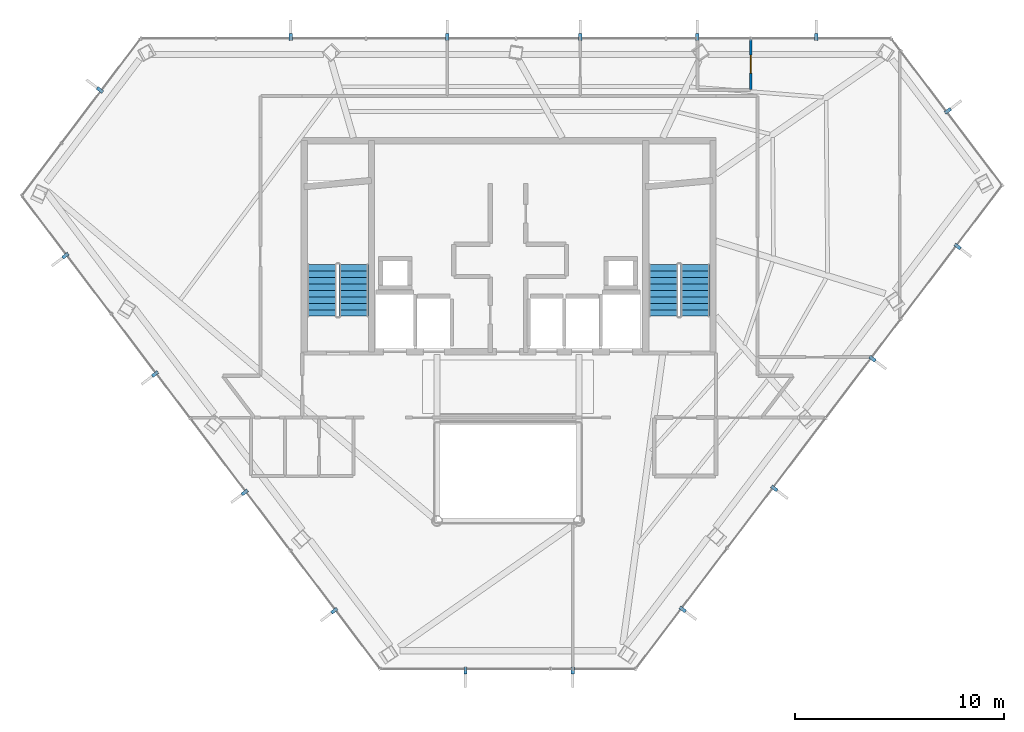
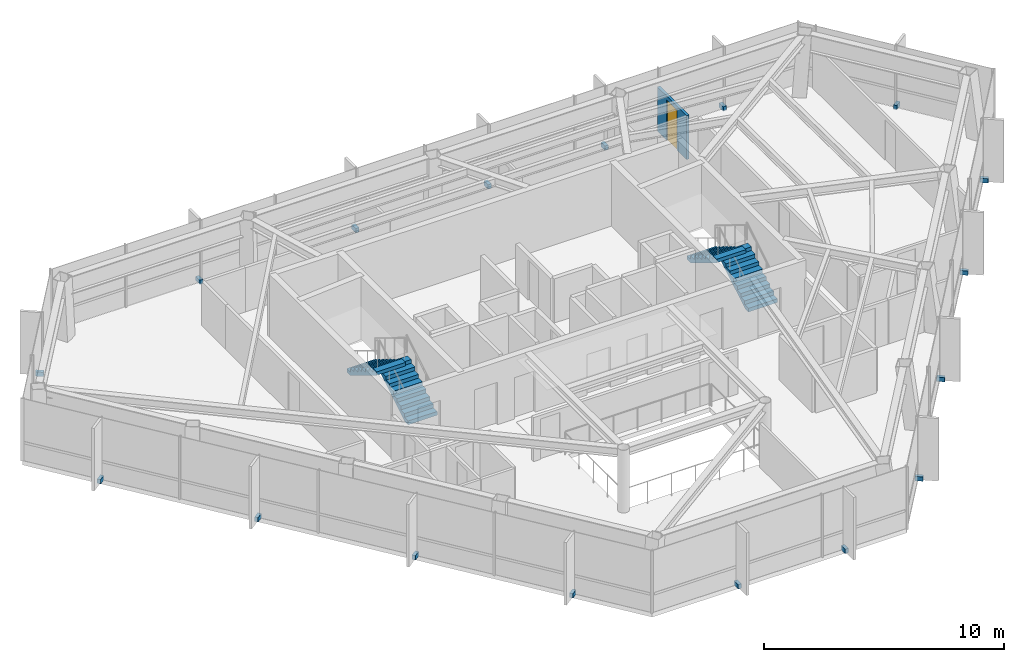
# One storey, part 26 of 27: 17 discrete accessories, 4 stair flights, 1 door, 1 wall, 1 opening, 2 elements without a shape of their own.
"""IFC4 building model written with IfcOpenShell, lengths in metres."""

import ifcopenshell
import ifcopenshell.guid

model = None  # the IFC model being written
_history = None  # IfcOwnerHistory: only IFC2X3 demands one
_inside = {}  # id of a spatial element -> (the spatial element, [elements in it])
_under = {}  # id of a project, library or spatial element -> (it, [spatial elements below it])
_declared = {}  # id of a project -> (the project, [libraries it declares])
_typed = {}  # id of a type object -> (the type object, [elements of that type])
_made_of = {}  # id of a material, layer set ... -> (it, [elements and type objects made of it])


def new_model(schema):
    """Start an empty IFC model of exactly this schema.

    Asked for "IFC4X3", IfcOpenShell would pick the latest addendum, in which some entities
    have other attributes; the version numbers below select the first issue.
    IFC2X3 requires an IfcOwnerHistory on every rooted entity: one is made here for all.
    """
    global model, _history
    if schema == "IFC4X3":
        model = ifcopenshell.file(schema_version=(4, 3, 0, 0))
    else:
        model = ifcopenshell.file(schema=schema)
    _inside.clear()
    _under.clear()
    _declared.clear()
    _typed.clear()
    _made_of.clear()
    _history = None
    if model.schema == "IFC2X3":
        org = make("IfcOrganization", Name="unknown")
        user = make(
            "IfcPersonAndOrganization",
            ThePerson=make("IfcPerson", FamilyName="unknown"),
            TheOrganization=org,
        )
        app = make(
            "IfcApplication",
            ApplicationDeveloper=org,
            Version="unknown",
            ApplicationFullName="unknown",
            ApplicationIdentifier="unknown",
        )
        _history = make(
            "IfcOwnerHistory",
            OwningUser=user,
            OwningApplication=app,
            ChangeAction="ADDED",
            CreationDate=0,
        )
    return model


def make(cls, **values):
    """One entity of the class cls with the attributes given. An attribute that is None is left unset."""
    return model.create_entity(
        cls, **{name: value for name, value in values.items() if value is not None}
    )


def rooted(cls, **values):
    """An entity with a GlobalId (a new one), such as an element, a storey or a relation."""
    return make(cls, GlobalId=ifcopenshell.guid.new(), OwnerHistory=_history, **values)


def si_unit(unit_type, name, prefix=None):
    """IfcSIUnit, for example si_unit("LENGTHUNIT", "METRE", prefix="MILLI")."""
    return make("IfcSIUnit", UnitType=unit_type, Prefix=prefix, Name=name)


def assignment(units):
    """IfcUnitAssignment: the units of a project."""
    return None if units is None else make("IfcUnitAssignment", Units=units)


def point(xyz):
    """IfcCartesianPoint."""
    return None if xyz is None else make("IfcCartesianPoint", Coordinates=xyz)


def direction(xyz):
    """IfcDirection."""
    return None if xyz is None else make("IfcDirection", DirectionRatios=xyz)


def frame(location, z_axis=None, x_axis=None):
    """IfcAxis2Placement3D, a coordinate frame: its origin and axes. An axis left out is left unset."""
    return make(
        "IfcAxis2Placement3D",
        Location=point(location),
        Axis=direction(z_axis),
        RefDirection=direction(x_axis),
    )


def frame_2d(location, x_axis=None):
    """IfcAxis2Placement2D, a coordinate frame in the plane: its origin and x axis."""
    return make(
        "IfcAxis2Placement2D", Location=point(location), RefDirection=direction(x_axis)
    )


def origin():
    """The frame at (0, 0, 0) with its axes left unset."""
    return frame((0.0, 0.0, 0.0))


def origin_2d():
    """The frame at (0, 0) in the plane with its x axis left unset."""
    return frame_2d((0.0, 0.0))


def place(relative_to, where):
    """IfcLocalPlacement: puts the frame where relative to a parent placement (None: the world)."""
    return make(
        "IfcLocalPlacement", PlacementRelTo=relative_to, RelativePlacement=where
    )


def context(
    kind, dimensions, precision=None, world=None, true_north=None, identifier=None
):
    """IfcGeometricRepresentationContext, for example the 3D "Model" context."""
    return make(
        "IfcGeometricRepresentationContext",
        ContextIdentifier=identifier,
        ContextType=kind,
        CoordinateSpaceDimension=dimensions,
        Precision=precision,
        WorldCoordinateSystem=world,
        TrueNorth=true_north,
    )


def subcontext(parent, identifier, kind, view, scale=None):
    """IfcGeometricRepresentationSubContext, for example "Body" below "Model"."""
    return make(
        "IfcGeometricRepresentationSubContext",
        ContextIdentifier=identifier,
        ContextType=kind,
        ParentContext=parent,
        TargetScale=scale,
        TargetView=view,
    )


def project(units=None, contexts=None):
    """IfcProject with its units and contexts."""
    return rooted(
        "IfcProject",
        Name="project",
        RepresentationContexts=contexts,
        UnitsInContext=assignment(units),
    )


def spatial(cls, under=None, at=None, **own):
    """A site, building, storey or space (cls), placed at a placement, below another one or the project."""
    s = rooted(cls, ObjectPlacement=at, **own)
    if under is not None:
        _under.setdefault(under.id(), (under, []))[1].append(s)
    return s


def polyline(points):
    """IfcPolyline through the points."""
    return make("IfcPolyline", Points=[point(p) for p in points])


def profile(cls, at=None, kind="AREA", **sizes):
    """A parametric profile (cls). Its sizes go by their IFC names, for example OverallWidth=200.0."""
    return make(cls, ProfileType=kind, Position=at, **sizes)


def rectangle(**sizes):
    """IfcRectangleProfileDef."""
    return profile("IfcRectangleProfileDef", **sizes)


def outline(outer, holes=None, kind="AREA"):
    """IfcArbitraryClosedProfileDef: a profile drawn as a closed curve; with holes, ...WithVoids."""
    if holes is None:
        return make("IfcArbitraryClosedProfileDef", ProfileType=kind, OuterCurve=outer)
    return make(
        "IfcArbitraryProfileDefWithVoids",
        ProfileType=kind,
        OuterCurve=outer,
        InnerCurves=holes,
    )


def extrude(swept, where, along, depth):
    """IfcExtrudedAreaSolid: the profile swept, set in the frame where, extruded along a direction by depth."""
    return make(
        "IfcExtrudedAreaSolid",
        SweptArea=swept,
        Position=where,
        ExtrudedDirection=direction(along),
        Depth=depth,
    )


def shape(context_of_items, identifier, shape_type, items):
    """IfcShapeRepresentation: the items that make up one representation, for example the "Body"."""
    return make(
        "IfcShapeRepresentation",
        ContextOfItems=context_of_items,
        RepresentationIdentifier=identifier,
        RepresentationType=shape_type,
        Items=items,
    )


def material(Name=None, Category=None):
    """IfcMaterial."""
    return make("IfcMaterial", Name=Name, Category=Category)


def layer(
    of_material, thickness, ventilated=None, Name=None, Category=None, Priority=None
):
    """IfcMaterialLayer: one layer of a wall or slab, of a material (None: an air gap)."""
    return make(
        "IfcMaterialLayer",
        Material=of_material,
        LayerThickness=thickness,
        IsVentilated=ventilated,
        Name=Name,
        Category=Category,
        Priority=Priority,
    )


def layer_set(layers, Name=None):
    """IfcMaterialLayerSet."""
    return make("IfcMaterialLayerSet", MaterialLayers=layers, LayerSetName=Name)


def made_of(thing, what):
    """Note that an element or type object is made of a material, layer set ...; save() writes the relation."""
    if what is not None:
        _made_of.setdefault(what.id(), (what, []))[1].append(thing)
    return thing


def type_object(cls, material=None, **own):
    """A type object (cls), such as IfcWallType, which elements share."""
    return made_of(rooted(cls, **own), material)


def element(
    cls,
    number,
    at=None,
    inside=None,
    cuts=None,
    type_object=None,
    material=None,
    context=None,
    identifier="Body",
    shape_type=None,
    held_by="IfcProductDefinitionShape",
    body=None,
    shapes=None,
    **own,
):
    """One element of the class cls, such as IfcWall. Its Tag is "e" and its number.

    at: its placement. inside: the storey or other place that contains it. cuts: it is an
    opening in that element (IfcRelVoidsElement). A single representation is given by context,
    identifier, shape_type and body (its items); several are given by shapes. held_by: the class
    of the entity that holds the representations. save() writes the other relations.
    """
    e = rooted(cls, Tag="e%d" % number, ObjectPlacement=at, **own)
    if body is not None:
        shapes = [shape(context, identifier, shape_type, body)]
    if shapes is not None:
        e.Representation = make(held_by, Representations=shapes)
    if inside is not None:
        _inside.setdefault(inside.id(), (inside, []))[1].append(e)
    if cuts is not None:
        rooted(
            "IfcRelVoidsElement", RelatingBuildingElement=cuts, RelatedOpeningElement=e
        )
    if type_object is not None:
        _typed.setdefault(type_object.id(), (type_object, []))[1].append(e)
    return made_of(e, material)


def fill(opening, filler):
    """IfcRelFillsElement: the door or window that sits in an opening."""
    return rooted(
        "IfcRelFillsElement",
        RelatingOpeningElement=opening,
        RelatedBuildingElement=filler,
    )


def aggregate(whole, parts):
    """IfcRelAggregates: a whole, such as a stair, and the parts it consists of."""
    return rooted("IfcRelAggregates", RelatingObject=whole, RelatedObjects=parts)


def save(model, path):
    """Write the relations noted so far, then the file.

    IfcRelAggregates (storeys below a building ...), IfcRelContainedInSpatialStructure (elements
    in a storey), IfcRelDefinesByType, IfcRelAssociatesMaterial and IfcRelDeclares: one each for
    every whole, place, type object, material and project.
    """
    for whole, parts in _under.values():
        aggregate(whole, parts)
    for where, things in _inside.values():
        rooted(
            "IfcRelContainedInSpatialStructure",
            RelatedElements=things,
            RelatingStructure=where,
        )
    for kind, things in _typed.values():
        rooted("IfcRelDefinesByType", RelatedObjects=things, RelatingType=kind)
    for what, things in _made_of.values():
        rooted("IfcRelAssociatesMaterial", RelatedObjects=things, RelatingMaterial=what)
    for by, libraries in _declared.values():
        rooted("IfcRelDeclares", RelatingContext=by, RelatedDefinitions=libraries)
    model.write(path)


model = new_model("IFC4")

# Units and contexts
model_context = context("Model", 3, precision=1e-05, world=origin(), true_north=direction((0.0, 1.0)))
body_context = subcontext(model_context, "Body", "Model", "MODEL_VIEW")
ifc_project = project(units=[si_unit("LENGTHUNIT", "METRE"), si_unit("AREAUNIT", "SQUARE_METRE"), si_unit("VOLUMEUNIT", "CUBIC_METRE"), si_unit("PLANEANGLEUNIT", "RADIAN"), si_unit("MASSUNIT", "GRAM", prefix="KILO")], contexts=[model_context])

# Site, building, storey
site_placement = place(None, origin())
site = spatial("IfcSite", under=ifc_project, at=site_placement, CompositionType="ELEMENT")
building_placement = place(site_placement, origin())
building = spatial("IfcBuilding", under=site, at=building_placement, Name="Zarrinselat Tower", CompositionType="ELEMENT")
storey_placement = place(building_placement, frame((0.0, 0.0, 225.760009765625)))
storey = spatial("IfcBuildingStorey", under=building, at=storey_placement, Name="L56", CompositionType="ELEMENT", Elevation=225.760009765625)

# Wall, opening, door
ifc_material_1 = material(Name="Fire-Rated Gypsum Board Partition", Category="gypsum")
ifc_layer = layer(ifc_material_1, 0.135009765625)
ifc_layer_set = layer_set([ifc_layer], Name="Fire-Rated Gypsum Board Partition")
wall_type = type_object("IfcWallType", Name="WAL-PART-WET", PredefinedType="PARTITIONING", material=ifc_layer_set)
wall_placement = place(storey_placement, frame((50.015380859375, 45.8544921875, 0.0), z_axis=(0.0, 0.0, 1.0), x_axis=(0.0, 1.0, 0.0)))
wall = element("IfcWall", 1, at=wall_placement, inside=storey, type_object=wall_type, Name="L56 Partition Wall 55", PredefinedType="PARTITIONING", context=body_context, shape_type="SweptSolid", body=[
    extrude(rectangle(XDim=2.4248046875, YDim=0.135009765625, at=frame_2d((1.21240234375, 0.0))), origin(), (0.0, 0.0, 1.0), 2.235107421875),
])
opening_placement = place(wall_placement, frame((0.782470703125, 0.0, 0.0)))
opening = element("IfcOpeningElement", 2, at=opening_placement, cuts=wall, Name="Opening ID-06", PredefinedType="OPENING", context=body_context, shape_type="SweptSolid", body=[
    extrude(rectangle(XDim=0.860107421875, YDim=2.050048828125, at=frame_2d((0.43017578125, 1.02490234375))), frame((0.0, 0.077392578125, 0.0), z_axis=(0.0, -1.0, 0.0), x_axis=(1.0, 0.0, 0.0)), (0.0, 0.0, 1.0), 0.155029296875),
])
ifc_material_2 = material(Name="Extruded Aluminium Alloy EN AW-6063 T6", Category="aluminium")
door_type = type_object("IfcDoorType", Name="DR-INT-WET-900", OperationType="NOTDEFINED", PredefinedType="DOOR", material=ifc_material_2)
door_placement = place(opening_placement, origin())
door = element("IfcDoor", 3, at=door_placement, inside=storey, type_object=door_type, Name="L56 Interior Door P55", OperationType="SINGLE_SWING_LEFT", OverallHeight=2.050048828125, OverallWidth=0.860107421875, PredefinedType="DOOR", context=body_context, shape_type="SweptSolid", body=[
    extrude(rectangle(XDim=0.860107421875, YDim=2.050048828125, at=frame_2d((0.43017578125, 1.02490234375))), frame((0.0, 0.02490234375, 0.0), z_axis=(0.0, -1.0, 0.0), x_axis=(1.0, 0.0, 0.0)), (0.0, 0.0, 1.0), 0.050048828125),
])
fill(opening, door)

# Stair, stair flights
ifc_material_3 = material(Name="Concrete C40/50", Category="concrete")
stair_type = type_object("IfcStairType", Name="STR-CORE-155", PredefinedType="HALF_TURN_STAIR", material=ifc_material_3)
stair_1_placement = place(storey_placement, origin())
stair_1 = element("IfcStair", 4, at=stair_1_placement, inside=storey, type_object=stair_type, Name="L56 Core Exit Stair 1", PredefinedType="HALF_TURN_STAIR")
ifc_material_4 = material(Name="Concrete C40/50", Category="concrete")
stair_flight_type = type_object("IfcStairFlightType", Name="STR-FLT-155", PredefinedType="STRAIGHT", material=ifc_material_4)
stair_flight_1_placement = place(storey_placement, frame((31.02001953125, 35.0, 0.0), z_axis=(0.0, 0.0, 1.0), x_axis=(0.0, 1.0, 0.0)))
stair_flight_1 = element("IfcStairFlight", 5, at=stair_flight_1_placement, type_object=stair_flight_type, Name="ST-1 flight 1", NumberOfRisers=9, NumberOfTreads=8, PredefinedType="STRAIGHT", RiserHeight=0.188888889, TreadLength=0.31, context=body_context, shape_type="SweptSolid", body=[
    extrude(outline(polyline([(0.0, 0.0), (0.0, 0.18896484375), (0.31005859375, 0.18896484375), (0.31005859375, 0.377685546875), (0.6201171875, 0.377685546875), (0.6201171875, 0.566650390625), (0.929931640625, 0.566650390625), (0.929931640625, 0.755615234375), (1.239990234375, 0.755615234375), (1.239990234375, 0.9443359375), (1.550048828125, 0.9443359375), (1.550048828125, 1.13330078125), (1.860107421875, 1.13330078125), (1.860107421875, 1.322265625), (2.169921875, 1.322265625), (2.169921875, 1.51123046875), (2.47998046875, 1.51123046875), (2.47998046875, 1.699951171875), (2.47998046875, 1.335693359375), (0.2880859375, 0.0), (0.0, 0.0)])), frame((0.0, 0.699951171875, 0.0), z_axis=(0.0, -1.0, 0.0), x_axis=(1.0, 0.0, 0.0)), (0.0, 0.0, 1.0), 1.39990234375),
])
stair_flight_2_placement = place(storey_placement, frame((29.5, 37.47998046875, 1.699951171875), z_axis=(0.0, 0.0, 1.0), x_axis=(0.0, -1.0, 0.0)))
stair_flight_2 = element("IfcStairFlight", 6, at=stair_flight_2_placement, type_object=stair_flight_type, Name="ST-1 flight 2", NumberOfRisers=9, NumberOfTreads=8, PredefinedType="STRAIGHT", RiserHeight=0.188888889, TreadLength=0.31, context=body_context, shape_type="SweptSolid", body=[
    extrude(outline(polyline([(0.0, 0.0), (0.0, 0.18896484375), (0.31005859375, 0.18896484375), (0.31005859375, 0.377685546875), (0.6201171875, 0.377685546875), (0.6201171875, 0.566650390625), (0.929931640625, 0.566650390625), (0.929931640625, 0.755615234375), (1.239990234375, 0.755615234375), (1.239990234375, 0.9443359375), (1.550048828125, 0.9443359375), (1.550048828125, 1.13330078125), (1.860107421875, 1.13330078125), (1.860107421875, 1.322265625), (2.169921875, 1.322265625), (2.169921875, 1.51123046875), (2.47998046875, 1.51123046875), (2.47998046875, 1.699951171875), (2.47998046875, 1.335693359375), (0.2880859375, 0.0), (0.0, 0.0)])), frame((0.0, 0.699951171875, 0.0), z_axis=(0.0, -1.0, 0.0), x_axis=(1.0, 0.0, 0.0)), (0.0, 0.0, 1.0), 1.39990234375),
])
aggregate(stair_1, [stair_flight_1, stair_flight_2])

stair_2_placement = place(storey_placement, origin())
stair_2 = element("IfcStair", 7, at=stair_2_placement, inside=storey, type_object=stair_type, Name="L56 Core Exit Stair 2", PredefinedType="HALF_TURN_STAIR")
stair_flight_3_placement = place(storey_placement, frame((47.360107421875, 35.0, 0.0), z_axis=(0.0, 0.0, 1.0), x_axis=(0.0, 1.0, 0.0)))
stair_flight_3 = element("IfcStairFlight", 8, at=stair_flight_3_placement, type_object=stair_flight_type, Name="ST-2 flight 1", NumberOfRisers=9, NumberOfTreads=8, PredefinedType="STRAIGHT", RiserHeight=0.188888889, TreadLength=0.31, context=body_context, shape_type="SweptSolid", body=[
    extrude(outline(polyline([(0.0, 0.0), (0.0, 0.18896484375), (0.31005859375, 0.18896484375), (0.31005859375, 0.377685546875), (0.6201171875, 0.377685546875), (0.6201171875, 0.566650390625), (0.929931640625, 0.566650390625), (0.929931640625, 0.755615234375), (1.239990234375, 0.755615234375), (1.239990234375, 0.9443359375), (1.550048828125, 0.9443359375), (1.550048828125, 1.13330078125), (1.860107421875, 1.13330078125), (1.860107421875, 1.322265625), (2.169921875, 1.322265625), (2.169921875, 1.51123046875), (2.47998046875, 1.51123046875), (2.47998046875, 1.699951171875), (2.47998046875, 1.335693359375), (0.2880859375, 0.0), (0.0, 0.0)])), frame((0.0, 0.699951171875, 0.0), z_axis=(0.0, -1.0, 0.0), x_axis=(1.0, 0.0, 0.0)), (0.0, 0.0, 1.0), 1.39990234375),
])
stair_flight_4_placement = place(storey_placement, frame((45.840087890625, 37.47998046875, 1.699951171875), z_axis=(0.0, 0.0, 1.0), x_axis=(0.0, -1.0, 0.0)))
stair_flight_4 = element("IfcStairFlight", 9, at=stair_flight_4_placement, type_object=stair_flight_type, Name="ST-2 flight 2", NumberOfRisers=9, NumberOfTreads=8, PredefinedType="STRAIGHT", RiserHeight=0.188888889, TreadLength=0.31, context=body_context, shape_type="SweptSolid", body=[
    extrude(outline(polyline([(0.0, 0.0), (0.0, 0.18896484375), (0.31005859375, 0.18896484375), (0.31005859375, 0.377685546875), (0.6201171875, 0.377685546875), (0.6201171875, 0.566650390625), (0.929931640625, 0.566650390625), (0.929931640625, 0.755615234375), (1.239990234375, 0.755615234375), (1.239990234375, 0.9443359375), (1.550048828125, 0.9443359375), (1.550048828125, 1.13330078125), (1.860107421875, 1.13330078125), (1.860107421875, 1.322265625), (2.169921875, 1.322265625), (2.169921875, 1.51123046875), (2.47998046875, 1.51123046875), (2.47998046875, 1.699951171875), (2.47998046875, 1.335693359375), (0.2880859375, 0.0), (0.0, 0.0)])), frame((0.0, 0.699951171875, 0.0), z_axis=(0.0, -1.0, 0.0), x_axis=(1.0, 0.0, 0.0)), (0.0, 0.0, 1.0), 1.39990234375),
])
aggregate(stair_2, [stair_flight_3, stair_flight_4])

# Discrete accessories
ifc_material_5 = material(Name="Steel S355J2", Category="steel")
discrete_accessory_type = type_object("IfcDiscreteAccessoryType", Name="ACC-FIN-BRACKET", PredefinedType="BRACKET", material=ifc_material_5)
for number, where, z_axis, x_axis, name in (
    (10, (53.14794921875, 48.364501953125, -0.0498046875), (0.0, 0.0, 1.0), (0.0, 1.0, 0.0), "L56 Fin Fixing Bracket CW-L56-E01-01"),
    (11, (47.46533203125, 48.364501953125, -0.0498046875), (0.0, 0.0, 1.0), (0.0, 1.0, 0.0), "L56 Fin Fixing Bracket CW-L56-E01-03"),
    (12, (41.855224609375, 48.364501953125, -0.0498046875), (0.0, 0.0, 1.0), (0.0, 1.0, 0.0), "L56 Fin Fixing Bracket CW-L56-E01-05"),
    (13, (35.5, 48.364501953125, -0.0498046875), (0.0, 0.0, 1.0), (0.0, 1.0, 0.0), "L56 Fin Fixing Bracket CW-L56-E01-07"),
    (14, (28.00830078125, 48.364501953125, -0.0498046875), (0.0, 0.0, 1.0), (0.0, 1.0, 0.0), "L56 Fin Fixing Bracket CW-L56-E01-09"),
    (15, (18.8701171875, 45.8291015625, -0.0498046875), (0.0, 0.0, 1.0), (-0.79708642965, 0.603865236347, 0.0), "L56 Fin Fixing Bracket CW-L56-E02-01"),
    (16, (17.21630859375, 37.897705078125, -0.0498046875), (0.0, 0.0, 1.0), (-0.797090557307, -0.603859787908, 0.0), "L56 Fin Fixing Bracket CW-L56-E03-01"),
    (17, (21.507080078125, 32.23388671875, -0.0498046875), (0.0, 0.0, 1.0), (-0.797090557307, -0.603859787908, 0.0), "L56 Fin Fixing Bracket CW-L56-E03-03"),
    (18, (25.7978515625, 26.570068359375, -0.0498046875), (0.0, 0.0, 1.0), (-0.797090557307, -0.603859787908, 0.0), "L56 Fin Fixing Bracket CW-L56-E03-05"),
    (19, (30.088623046875, 20.90625, -0.0498046875), (0.0, 0.0, 1.0), (-0.797090557307, -0.603859787908, 0.0), "L56 Fin Fixing Bracket CW-L56-E03-07"),
    (20, (36.36328125, 18.046630859375, -0.0498046875), (0.0, 0.0, 1.0), (0.0, -1.0, 0.0), "L56 Fin Fixing Bracket CW-L56-E04-01"),
    (21, (41.5, 18.046630859375, -0.0498046875), (0.0, 0.0, 1.0), (0.0, -1.0, 0.0), "L56 Fin Fixing Bracket CW-L56-E04-03"),
    (22, (46.75927734375, 20.969482421875, -0.0498046875), (0.0, 0.0, 1.0), (0.797090993572, -0.603859212041, 0.0), "L56 Fin Fixing Bracket CW-L56-E05-01"),
    (23, (51.1455078125, 26.759521484375, -0.0498046875), (0.0, 0.0, 1.0), (0.797090993572, -0.603859212041, 0.0), "L56 Fin Fixing Bracket CW-L56-E05-03"),
    (24, (55.8466796875, 32.965087890625, -0.0498046875), (0.0, 0.0, 1.0), (0.797090993572, -0.603859212041, 0.0), "L56 Fin Fixing Bracket CW-L56-E05-05"),
    (25, (59.91845703125, 38.339599609375, -0.0498046875), (0.0, 0.0, 1.0), (0.797090993572, -0.603859212041, 0.0), "L56 Fin Fixing Bracket CW-L56-E05-07"),
    (26, (59.453369140625, 44.827880859375, -0.0498046875), (0.0, 0.0, 1.0), (0.797090160089, 0.603860312232, 0.0), "L56 Fin Fixing Bracket CW-L56-E06-01"),
):
    element("IfcDiscreteAccessory", number, at=place(storey_placement, frame(where, z_axis=z_axis, x_axis=x_axis)), inside=storey, type_object=discrete_accessory_type, Name=name, PredefinedType="BRACKET", context=body_context, shape_type="SweptSolid", body=[
        extrude(rectangle(XDim=0.340087890625, YDim=0.159912109375, at=origin_2d()), origin(), (0.0, 0.0, 1.0), 0.219970703125),
    ])

save(model, "model.ifc")
